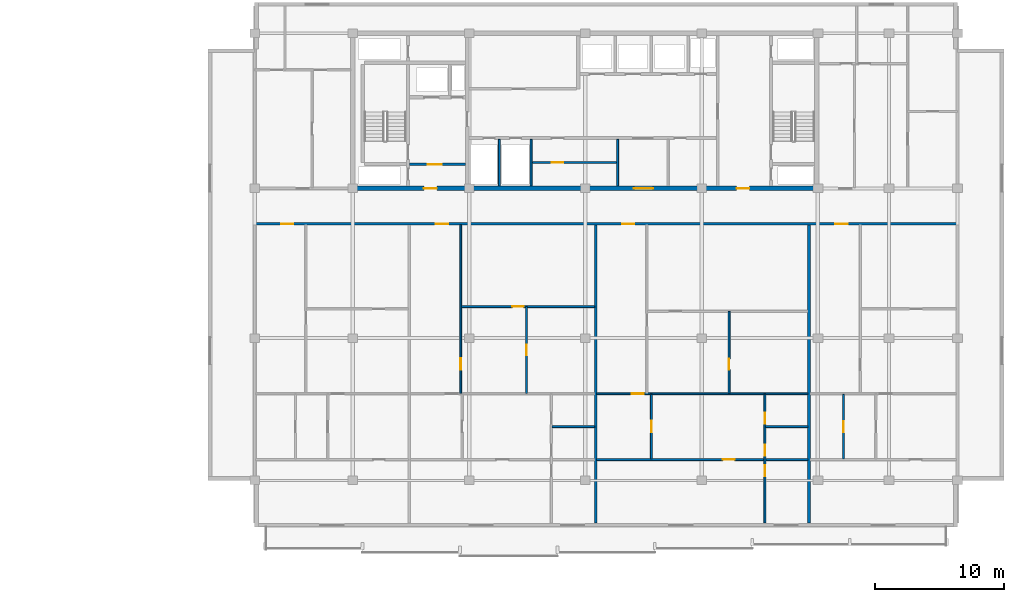
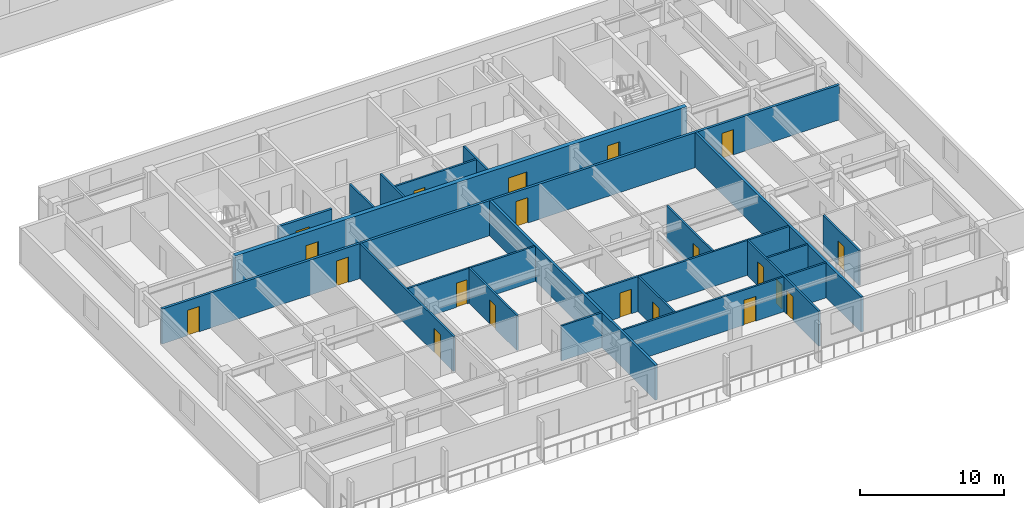
# One storey, part 5 of 22: 20 doors, 20 walls, 20 openings.
"""IFC4 building model written with IfcOpenShell, lengths in metres."""

from ifc_helpers import new_model, si_unit, direction, frame, frame_2d, origin, place, context, subcontext, project, spatial, rectangle, extrude, material, layer, layer_set, type_object, element, fill, save


model = new_model("IFC4")

# Units and contexts
model_context = context("Model", 3, precision=1e-05, world=origin(), true_north=direction((0.0, 1.0)))
body_context = subcontext(model_context, "Body", "Model", "MODEL_VIEW")
ifc_project = project(units=[si_unit("LENGTHUNIT", "METRE"), si_unit("AREAUNIT", "SQUARE_METRE"), si_unit("VOLUMEUNIT", "CUBIC_METRE"), si_unit("PLANEANGLEUNIT", "RADIAN"), si_unit("MASSUNIT", "GRAM", prefix="KILO")], contexts=[model_context])

# Site, building, storey
site_placement = place(None, origin())
site = spatial("IfcSite", under=ifc_project, at=site_placement, CompositionType="ELEMENT")
building_placement = place(site_placement, origin())
building = spatial("IfcBuilding", under=site, at=building_placement, Name="Korimba Cascade Residences", CompositionType="ELEMENT")
storey_placement = place(building_placement, frame((0.0, 0.0, 181.60009765625)))
storey = spatial("IfcBuildingStorey", under=building, at=storey_placement, Name="L52", CompositionType="ELEMENT", Elevation=181.60009765625)

# Wall, openings, doors
ifc_material_1 = material(Name="Concrete C65/80", Category="concrete")
ifc_layer_1 = layer(ifc_material_1, 0.35009765625)
ifc_layer_set_1 = layer_set([ifc_layer_1], Name="Concrete C65/80")
wall_type_1 = type_object("IfcWallType", Name="WAL-CORE-350", PredefinedType="SHEAR", material=ifc_layer_set_1)
wall_1_placement = place(storey_placement, frame((81.925048828125, 18.39990234375, 0.0), z_axis=(0.0, 0.0, 1.0), x_axis=(1.0, 0.0, 0.0)))
wall_1 = element("IfcWall", 1, at=wall_1_placement, inside=storey, type_object=wall_type_1, Name="L52 Core Shear Wall CW-L52-T2-S", PredefinedType="SHEAR", context=body_context, shape_type="SweptSolid", body=[
    extrude(rectangle(XDim=36.264892578125, YDim=0.35009765625, at=frame_2d((18.13232421875, 0.0))), origin(), (0.0, 0.0, 1.0), 3.25),
])
opening_1_placement = place(wall_1_placement, frame((5.675048828125, 0.0, 0.0)))
opening_1 = element("IfcOpeningElement", 2, at=opening_1_placement, cuts=wall_1, Name="Opening D-FD5", PredefinedType="OPENING", context=body_context, shape_type="SweptSolid", body=[
    extrude(rectangle(XDim=1.0, YDim=2.14990234375, at=frame_2d((0.5, 1.074951171875))), frame((0.0, 0.18505859375, 0.0), z_axis=(0.0, -1.0, 0.0), x_axis=(1.0, 0.0, 0.0)), (0.0, 0.0, 1.0), 0.3701171875),
])
opening_2_placement = place(wall_1_placement, frame((21.925048828125, 0.0, 0.0)))
opening_2 = element("IfcOpeningElement", 3, at=opening_2_placement, cuts=wall_1, Name="Opening D-FD8", PredefinedType="OPENING", context=body_context, shape_type="SweptSolid", body=[
    extrude(rectangle(XDim=1.5, YDim=2.199951171875, at=frame_2d((0.75, 1.10009765625))), frame((0.0, 0.18505859375, 0.0), z_axis=(0.0, -1.0, 0.0), x_axis=(1.0, 0.0, 0.0)), (0.0, 0.0, 1.0), 0.3701171875),
])
opening_3_placement = place(wall_1_placement, frame((29.875, 0.0, 0.0)))
opening_3 = element("IfcOpeningElement", 4, at=opening_3_placement, cuts=wall_1, Name="Opening D-FD5", PredefinedType="OPENING", context=body_context, shape_type="SweptSolid", body=[
    extrude(rectangle(XDim=1.0, YDim=2.14990234375, at=frame_2d((0.5, 1.074951171875))), frame((0.0, 0.18505859375, 0.0), z_axis=(0.0, -1.0, 0.0), x_axis=(1.0, 0.0, 0.0)), (0.0, 0.0, 1.0), 0.3701171875),
])
ifc_material_2 = material(Name="Fire-Rated Acoustic Timber Vestibule Door", Category="wood")
door_type_1 = type_object("IfcDoorType", Name="DR-FD90-1000", OperationType="NOTDEFINED", PredefinedType="DOOR", material=ifc_material_2)
door_1_placement = place(opening_1_placement, origin())
door_1 = element("IfcDoor", 5, at=door_1_placement, inside=storey, type_object=door_type_1, Name="L52 T2 West Core Vestibule Fire Door", OperationType="SINGLE_SWING_RIGHT", OverallHeight=2.14990234375, OverallWidth=1.0, PredefinedType="DOOR", context=body_context, shape_type="SweptSolid", body=[
    extrude(rectangle(XDim=1.0, YDim=2.14990234375, at=frame_2d((0.5, 1.074951171875))), frame((0.0, 0.02490234375, 0.0), z_axis=(0.0, -1.0, 0.0), x_axis=(1.0, 0.0, 0.0)), (0.0, 0.0, 1.0), 0.050048828125),
])
fill(opening_1, door_1)
door_2_placement = place(opening_3_placement, origin())
door_2 = element("IfcDoor", 6, at=door_2_placement, inside=storey, type_object=door_type_1, Name="L52 T2 East Stair Vestibule Fire Door", OperationType="SINGLE_SWING_LEFT", OverallHeight=2.14990234375, OverallWidth=1.0, PredefinedType="DOOR", context=body_context, shape_type="SweptSolid", body=[
    extrude(rectangle(XDim=1.0, YDim=2.14990234375, at=frame_2d((0.5, 1.074951171875))), frame((0.0, 0.02490234375, 0.0), z_axis=(0.0, -1.0, 0.0), x_axis=(1.0, 0.0, 0.0)), (0.0, 0.0, 1.0), 0.050048828125),
])
fill(opening_3, door_2)
ifc_material_3 = material(Name="Fire-Rated Glazed Lift Lobby Double Door", Category="glass")
door_type_2 = type_object("IfcDoorType", Name="DR-FD90-1500", OperationType="NOTDEFINED", PredefinedType="DOOR", material=ifc_material_3)
door_3_placement = place(opening_2_placement, origin())
door_3 = element("IfcDoor", 7, at=door_3_placement, inside=storey, type_object=door_type_2, Name="L52 T2 Lift Lobby Fire Door", OperationType="DOUBLE_DOOR_SINGLE_SWING", OverallHeight=2.199951171875, OverallWidth=1.5, PredefinedType="DOOR", context=body_context, shape_type="SweptSolid", body=[
    extrude(rectangle(XDim=1.5, YDim=2.199951171875, at=frame_2d((0.75, 1.10009765625))), frame((0.0, 0.02490234375, 0.0), z_axis=(0.0, -1.0, 0.0), x_axis=(1.0, 0.0, 0.0)), (0.0, 0.0, 1.0), 0.050048828125),
])
fill(opening_2, door_3)

# Walls
ifc_material_4 = material(Name="Precast concrete C40/50", Category="concrete")
ifc_layer_2 = layer(ifc_material_4, 0.199951171875)
ifc_layer_set_2 = layer_set([ifc_layer_2], Name="Precast concrete C40/50")
wall_type_2 = type_object("IfcWallType", Name="WAL-IT-200", PredefinedType="PARTITIONING", material=ifc_layer_set_2)
for number, where, z_axis, x_axis, name in (
    (8, (100.8916015625, -7.5, 0.0), (0.0, 0.0, 1.0), (0.0, 1.0, 0.0), "L52 Partition Wall WAL-L52-T2-DEM-2"),
    (9, (117.408203125, -7.5, 0.0), (0.0, 0.0, 1.0), (0.0, 1.0, 0.0), "L52 Partition Wall WAL-L52-T2-DEM-3"),
):
    element("IfcWall", number, at=place(storey_placement, frame(where, z_axis=z_axis, x_axis=x_axis)), inside=storey, type_object=wall_type_2, Name=name, PredefinedType="PARTITIONING", context=body_context, shape_type="SweptSolid", body=[
        extrude(rectangle(XDim=23.070068359375, YDim=0.199951171875, at=frame_2d((11.53515625, 0.0))), origin(), (0.0, 0.0, 1.0), 2.969970703125),
    ])

# Wall, openings, doors
wall_2_placement = place(storey_placement, frame((74.5, 15.64990234375, 0.0), z_axis=(0.0, 0.0, 1.0), x_axis=(1.0, 0.0, 0.0)))
wall_2 = element("IfcWall", 10, at=wall_2_placement, inside=storey, type_object=wall_type_2, Name="L52 Partition Wall WAL-L52-T2-CORS", PredefinedType="PARTITIONING", context=body_context, shape_type="SweptSolid", body=[
    extrude(rectangle(XDim=54.39990234375, YDim=0.199951171875, at=frame_2d((27.199951171875, 0.0))), origin(), (0.0, 0.0, 1.0), 2.969970703125),
])
opening_4_placement = place(wall_2_placement, frame((2.044921875, 0.0, 0.0)))
opening_4 = element("IfcOpeningElement", 11, at=opening_4_placement, cuts=wall_2, Name="Opening D-UN1", PredefinedType="OPENING", context=body_context, shape_type="SweptSolid", body=[
    extrude(rectangle(XDim=0.949951171875, YDim=2.14990234375, at=frame_2d((0.47509765625, 1.074951171875))), frame((0.0, 0.10986328125, 0.0), z_axis=(0.0, -1.0, 0.0), x_axis=(1.0, 0.0, 0.0)), (0.0, 0.0, 1.0), 0.219970703125),
])
opening_5_placement = place(wall_2_placement, frame((14.0283203125, 0.0, 0.0)))
opening_5 = element("IfcOpeningElement", 12, at=opening_5_placement, cuts=wall_2, Name="Opening D-UN1", PredefinedType="OPENING", context=body_context, shape_type="SweptSolid", body=[
    extrude(rectangle(XDim=0.949951171875, YDim=2.14990234375, at=frame_2d((0.47509765625, 1.074951171875))), frame((0.0, 0.10986328125, 0.0), z_axis=(0.0, -1.0, 0.0), x_axis=(1.0, 0.0, 0.0)), (0.0, 0.0, 1.0), 0.219970703125),
])
opening_6_placement = place(wall_2_placement, frame((28.4365234375, 0.0, 0.0)))
opening_6 = element("IfcOpeningElement", 13, at=opening_6_placement, cuts=wall_2, Name="Opening D-UN1", PredefinedType="OPENING", context=body_context, shape_type="SweptSolid", body=[
    extrude(rectangle(XDim=0.949951171875, YDim=2.14990234375, at=frame_2d((0.47509765625, 1.074951171875))), frame((0.0, 0.10986328125, 0.0), z_axis=(0.0, -1.0, 0.0), x_axis=(1.0, 0.0, 0.0)), (0.0, 0.0, 1.0), 0.219970703125),
])
opening_7_placement = place(wall_2_placement, frame((44.953369140625, 0.0, 0.0)))
opening_7 = element("IfcOpeningElement", 14, at=opening_7_placement, cuts=wall_2, Name="Opening D-UN1", PredefinedType="OPENING", context=body_context, shape_type="SweptSolid", body=[
    extrude(rectangle(XDim=0.949951171875, YDim=2.14990234375, at=frame_2d((0.47509765625, 1.074951171875))), frame((0.0, 0.10986328125, 0.0), z_axis=(0.0, -1.0, 0.0), x_axis=(1.0, 0.0, 0.0)), (0.0, 0.0, 1.0), 0.219970703125),
])
ifc_material_5 = material(Name="Fire-Rated Hardwood Apartment Entrance Door", Category="wood")
door_type_3 = type_object("IfcDoorType", Name="DR-FD60-950", OperationType="NOTDEFINED", PredefinedType="DOOR", material=ifc_material_5)
door_4_placement = place(opening_4_placement, origin())
door_4 = element("IfcDoor", 15, at=door_4_placement, inside=storey, type_object=door_type_3, Name="Unit L52-T2-U01 Entrance Door", OperationType="SINGLE_SWING_LEFT", OverallHeight=2.14990234375, OverallWidth=0.949951171875, PredefinedType="DOOR", context=body_context, shape_type="SweptSolid", body=[
    extrude(rectangle(XDim=0.949951171875, YDim=2.14990234375, at=frame_2d((0.47509765625, 1.074951171875))), frame((0.0, 0.02490234375, 0.0), z_axis=(0.0, -1.0, 0.0), x_axis=(1.0, 0.0, 0.0)), (0.0, 0.0, 1.0), 0.050048828125),
])
fill(opening_4, door_4)
door_5_placement = place(opening_5_placement, origin())
door_5 = element("IfcDoor", 16, at=door_5_placement, inside=storey, type_object=door_type_3, Name="Unit L52-T2-U02 Entrance Door", OperationType="SINGLE_SWING_RIGHT", OverallHeight=2.14990234375, OverallWidth=0.949951171875, PredefinedType="DOOR", context=body_context, shape_type="SweptSolid", body=[
    extrude(rectangle(XDim=0.949951171875, YDim=2.14990234375, at=frame_2d((0.47509765625, 1.074951171875))), frame((0.0, 0.02490234375, 0.0), z_axis=(0.0, -1.0, 0.0), x_axis=(1.0, 0.0, 0.0)), (0.0, 0.0, 1.0), 0.050048828125),
])
fill(opening_5, door_5)
door_6_placement = place(opening_6_placement, origin())
door_6 = element("IfcDoor", 17, at=door_6_placement, inside=storey, type_object=door_type_3, Name="Unit L52-T2-U03 Entrance Door", OperationType="SINGLE_SWING_LEFT", OverallHeight=2.14990234375, OverallWidth=0.949951171875, PredefinedType="DOOR", context=body_context, shape_type="SweptSolid", body=[
    extrude(rectangle(XDim=0.949951171875, YDim=2.14990234375, at=frame_2d((0.47509765625, 1.074951171875))), frame((0.0, 0.02490234375, 0.0), z_axis=(0.0, -1.0, 0.0), x_axis=(1.0, 0.0, 0.0)), (0.0, 0.0, 1.0), 0.050048828125),
])
fill(opening_6, door_6)
door_7_placement = place(opening_7_placement, origin())
door_7 = element("IfcDoor", 18, at=door_7_placement, inside=storey, type_object=door_type_3, Name="Unit L52-T2-U04 Entrance Door", OperationType="SINGLE_SWING_RIGHT", OverallHeight=2.14990234375, OverallWidth=0.949951171875, PredefinedType="DOOR", context=body_context, shape_type="SweptSolid", body=[
    extrude(rectangle(XDim=0.949951171875, YDim=2.14990234375, at=frame_2d((0.47509765625, 1.074951171875))), frame((0.0, 0.02490234375, 0.0), z_axis=(0.0, -1.0, 0.0), x_axis=(1.0, 0.0, 0.0)), (0.0, 0.0, 1.0), 0.050048828125),
])
fill(opening_7, door_7)

# Walls
ifc_material_6 = material(Name="Insulated Acoustic Stud Partition", Category="gypsum")
ifc_layer_3 = layer(ifc_material_6, 0.14990234375)
ifc_layer_set_3 = layer_set([ifc_layer_3], Name="Insulated Acoustic Stud Partition")
wall_type_3 = type_object("IfcWallType", Name="WAL-PART-150", PredefinedType="PARTITIONING", material=ifc_layer_set_3)
for number, where, z_axis, x_axis, name in (
    (19, (93.449951171875, 18.60009765625, 0.0), (0.0, 0.0, 1.0), (0.0, 1.0, 0.0), "L52 Partition Wall CW-L52-T2-ERDIV"),
    (20, (95.89990234375, 18.60009765625, 0.0), (0.0, 0.0, 1.0), (0.0, 1.0, 0.0), "L52 Partition Wall CW-L52-T2-PRDIV"),
):
    element("IfcWall", number, at=place(storey_placement, frame(where, z_axis=z_axis, x_axis=x_axis)), inside=storey, type_object=wall_type_3, Name=name, PredefinedType="PARTITIONING", context=body_context, shape_type="SweptSolid", body=[
        extrude(rectangle(XDim=3.599853515625, YDim=0.14990234375, at=frame_2d((1.7998046875, 0.0))), origin(), (0.0, 0.0, 1.0), 2.969970703125),
    ])

# Wall, opening, door
wall_3_placement = place(storey_placement, frame((95.89990234375, 20.39990234375, 0.0), z_axis=(0.0, 0.0, 1.0), x_axis=(1.0, 0.0, 0.0)))
wall_3 = element("IfcWall", 21, at=wall_3_placement, inside=storey, type_object=wall_type_3, Name="L52 Partition Wall CW-L52-T2-CA2HZ", PredefinedType="PARTITIONING", context=body_context, shape_type="SweptSolid", body=[
    extrude(rectangle(XDim=6.7001953125, YDim=0.14990234375, at=frame_2d((3.35009765625, 0.0))), origin(), (0.0, 0.0, 1.0), 2.969970703125),
])
opening_8_placement = place(wall_3_placement, frame((1.60009765625, 0.0, 0.0)))
opening_8 = element("IfcOpeningElement", 22, at=opening_8_placement, cuts=wall_3, Name="Opening D-IN2", PredefinedType="OPENING", context=body_context, shape_type="SweptSolid", body=[
    extrude(rectangle(XDim=0.8798828125, YDim=2.06005859375, at=frame_2d((0.43994140625, 1.030029296875))), frame((0.0, 0.0849609375, 0.0), z_axis=(0.0, -1.0, 0.0), x_axis=(1.0, 0.0, 0.0)), (0.0, 0.0, 1.0), 0.169921875),
])
ifc_material_7 = material(Name="Acoustic Timber Bedroom Door", Category="wood")
door_type_4 = type_object("IfcDoorType", Name="DR-INT-880", OperationType="NOTDEFINED", PredefinedType="DOOR", material=ifc_material_7)
door_8_placement = place(opening_8_placement, origin())
door_8 = element("IfcDoor", 23, at=door_8_placement, inside=storey, type_object=door_type_4, Name="L52 T2 Pram Store Door", OperationType="SINGLE_SWING_RIGHT", OverallHeight=2.06005859375, OverallWidth=0.8798828125, PredefinedType="DOOR", context=body_context, shape_type="SweptSolid", body=[
    extrude(rectangle(XDim=0.8798828125, YDim=2.06005859375, at=frame_2d((0.43994140625, 1.030029296875))), frame((0.0, 0.02490234375, 0.0), z_axis=(0.0, -1.0, 0.0), x_axis=(1.0, 0.0, 0.0)), (0.0, 0.0, 1.0), 0.050048828125),
])
fill(opening_8, door_8)

# Wall
wall_4_placement = place(storey_placement, frame((102.60009765625, 18.60009765625, 0.0), z_axis=(0.0, 0.0, 1.0), x_axis=(0.0, 1.0, 0.0)))
element("IfcWall", 24, at=wall_4_placement, inside=storey, type_object=wall_type_3, Name="L52 Partition Wall CW-L52-T2-THW", PredefinedType="PARTITIONING", context=body_context, shape_type="SweptSolid", body=[
    extrude(rectangle(XDim=3.599853515625, YDim=0.14990234375, at=frame_2d((1.7998046875, 0.0))), origin(), (0.0, 0.0, 1.0), 2.969970703125),
])

# Wall, opening, door
wall_5_placement = place(storey_placement, frame((95.54248046875, 2.5400390625, 0.0), z_axis=(0.0, 0.0, 1.0), x_axis=(0.0, 1.0, 0.0)))
wall_5 = element("IfcWall", 25, at=wall_5_placement, inside=storey, type_object=wall_type_3, Name="L52 Partition Wall WAL-L52-T2-U02-FMV", PredefinedType="PARTITIONING", context=body_context, shape_type="SweptSolid", body=[
    extrude(rectangle(XDim=6.705078125, YDim=0.14990234375, at=frame_2d((3.3525390625, 0.0))), origin(), (0.0, 0.0, 1.0), 2.969970703125),
])
opening_9_placement = place(wall_5_placement, frame((2.9326171875, 0.0, 0.0)))
opening_9 = element("IfcOpeningElement", 26, at=opening_9_placement, cuts=wall_5, Name="Opening D-BT1", PredefinedType="OPENING", context=body_context, shape_type="SweptSolid", body=[
    extrude(rectangle(XDim=0.840087890625, YDim=2.0400390625, at=frame_2d((0.419921875, 1.02001953125))), frame((0.0, 0.0849609375, 0.0), z_axis=(0.0, -1.0, 0.0), x_axis=(1.0, 0.0, 0.0)), (0.0, 0.0, 1.0), 0.169921875),
])
ifc_material_8 = material(Name="Moisture-Resistant Bathroom Timber Door", Category="wood")
door_type_5 = type_object("IfcDoorType", Name="DR-INT-850", OperationType="NOTDEFINED", PredefinedType="DOOR", material=ifc_material_8)
door_9_placement = place(opening_9_placement, origin())
door_9 = element("IfcDoor", 27, at=door_9_placement, inside=storey, type_object=door_type_5, Name="L52-T2-U02 Wardrobe Door", OperationType="SINGLE_SWING_LEFT", OverallHeight=2.0400390625, OverallWidth=0.840087890625, PredefinedType="DOOR", context=body_context, shape_type="SweptSolid", body=[
    extrude(rectangle(XDim=0.840087890625, YDim=2.0400390625, at=frame_2d((0.419921875, 1.02001953125))), frame((0.0, 0.02490234375, 0.0), z_axis=(0.0, -1.0, 0.0), x_axis=(1.0, 0.0, 0.0)), (0.0, 0.0, 1.0), 0.050048828125),
])
fill(opening_9, door_9)

wall_6_placement = place(storey_placement, frame((90.51318359375, 9.2451171875, 0.0), z_axis=(0.0, 0.0, 1.0), x_axis=(1.0, 0.0, 0.0)))
wall_6 = element("IfcWall", 28, at=wall_6_placement, inside=storey, type_object=wall_type_3, Name="L52 Partition Wall WAL-L52-T2-U02-FMH", PredefinedType="PARTITIONING", context=body_context, shape_type="SweptSolid", body=[
    extrude(rectangle(XDim=10.29833984375, YDim=0.14990234375, at=frame_2d((5.149169921875, 0.0))), origin(), (0.0, 0.0, 1.0), 2.969970703125),
])
opening_10_placement = place(wall_6_placement, frame((3.92919921875, 0.0, 0.0)))
opening_10 = element("IfcOpeningElement", 29, at=opening_10_placement, cuts=wall_6, Name="Opening D-IN2", PredefinedType="OPENING", context=body_context, shape_type="SweptSolid", body=[
    extrude(rectangle(XDim=0.8798828125, YDim=2.06005859375, at=frame_2d((0.43994140625, 1.030029296875))), frame((0.0, 0.0849609375, 0.0), z_axis=(0.0, -1.0, 0.0), x_axis=(1.0, 0.0, 0.0)), (0.0, 0.0, 1.0), 0.169921875),
])
door_10_placement = place(opening_10_placement, origin())
door_10 = element("IfcDoor", 30, at=door_10_placement, inside=storey, type_object=door_type_4, Name="L52-T2-U02 Library Salon Door", OperationType="SINGLE_SWING_RIGHT", OverallHeight=2.06005859375, OverallWidth=0.8798828125, PredefinedType="DOOR", context=body_context, shape_type="SweptSolid", body=[
    extrude(rectangle(XDim=0.8798828125, YDim=2.06005859375, at=frame_2d((0.43994140625, 1.030029296875))), frame((0.0, 0.02490234375, 0.0), z_axis=(0.0, -1.0, 0.0), x_axis=(1.0, 0.0, 0.0)), (0.0, 0.0, 1.0), 0.050048828125),
])
fill(opening_10, door_10)

wall_7_placement = place(storey_placement, frame((90.453369140625, 2.5400390625, 0.0), z_axis=(0.0, 0.0, 1.0), x_axis=(0.0, 1.0, 0.0)))
wall_7 = element("IfcWall", 31, at=wall_7_placement, inside=storey, type_object=wall_type_3, Name="L52 Partition Wall WAL-L52-T2-U02-FV", PredefinedType="PARTITIONING", context=body_context, shape_type="SweptSolid", body=[
    extrude(rectangle(XDim=13.050048828125, YDim=0.14990234375, at=frame_2d((6.52490234375, 0.0))), origin(), (0.0, 0.0, 1.0), 2.969970703125),
])
opening_11_placement = place(wall_7_placement, frame((1.81298828125, 0.0, 0.0)))
opening_11 = element("IfcOpeningElement", 32, at=opening_11_placement, cuts=wall_7, Name="Opening D-IN2", PredefinedType="OPENING", context=body_context, shape_type="SweptSolid", body=[
    extrude(rectangle(XDim=0.8798828125, YDim=2.06005859375, at=frame_2d((0.43994140625, 1.030029296875))), frame((0.0, 0.0849609375, 0.0), z_axis=(0.0, -1.0, 0.0), x_axis=(1.0, 0.0, 0.0)), (0.0, 0.0, 1.0), 0.169921875),
])
door_11_placement = place(opening_11_placement, origin())
door_11 = element("IfcDoor", 33, at=door_11_placement, inside=storey, type_object=door_type_4, Name="L52-T2-U02 Media Lounge Door", OperationType="SINGLE_SWING_LEFT", OverallHeight=2.06005859375, OverallWidth=0.8798828125, PredefinedType="DOOR", context=body_context, shape_type="SweptSolid", body=[
    extrude(rectangle(XDim=0.8798828125, YDim=2.06005859375, at=frame_2d((0.43994140625, 1.030029296875))), frame((0.0, 0.02490234375, 0.0), z_axis=(0.0, -1.0, 0.0), x_axis=(1.0, 0.0, 0.0)), (0.0, 0.0, 1.0), 0.050048828125),
])
fill(opening_11, door_11)

# Wall
wall_8_placement = place(storey_placement, frame((97.531494140625, -0.0400390625, 0.0), z_axis=(0.0, 0.0, 1.0), x_axis=(1.0, 0.0, 0.0)))
element("IfcWall", 34, at=wall_8_placement, inside=storey, type_object=wall_type_3, Name="L52 Partition Wall WAL-L52-T2-U02-BLDIV", PredefinedType="PARTITIONING", context=body_context, shape_type="SweptSolid", body=[
    extrude(rectangle(XDim=3.280029296875, YDim=0.14990234375, at=frame_2d((1.64013671875, 0.0))), origin(), (0.0, 0.0, 1.0), 2.969970703125),
])

# Wall, opening, door
wall_9_placement = place(storey_placement, frame((111.224853515625, 2.5400390625, 0.0), z_axis=(0.0, 0.0, 1.0), x_axis=(0.0, 1.0, 0.0)))
wall_9 = element("IfcWall", 35, at=wall_9_placement, inside=storey, type_object=wall_type_3, Name="L52 Partition Wall WAL-L52-T2-U03-FMV", PredefinedType="PARTITIONING", context=body_context, shape_type="SweptSolid", body=[
    extrude(rectangle(XDim=6.344970703125, YDim=0.14990234375, at=frame_2d((3.17236328125, 0.0))), origin(), (0.0, 0.0, 1.0), 2.969970703125),
])
opening_12_placement = place(wall_9_placement, frame((1.821533203125, 0.0, 0.0)))
opening_12 = element("IfcOpeningElement", 36, at=opening_12_placement, cuts=wall_9, Name="Opening D-BT1", PredefinedType="OPENING", context=body_context, shape_type="SweptSolid", body=[
    extrude(rectangle(XDim=0.840087890625, YDim=2.0400390625, at=frame_2d((0.419921875, 1.02001953125))), frame((0.0, 0.0849609375, 0.0), z_axis=(0.0, -1.0, 0.0), x_axis=(1.0, 0.0, 0.0)), (0.0, 0.0, 1.0), 0.169921875),
])
door_12_placement = place(opening_12_placement, origin())
door_12 = element("IfcDoor", 37, at=door_12_placement, inside=storey, type_object=door_type_5, Name="L52-T2-U03 Wardrobe Door", OperationType="SINGLE_SWING_RIGHT", OverallHeight=2.0400390625, OverallWidth=0.840087890625, PredefinedType="DOOR", context=body_context, shape_type="SweptSolid", body=[
    extrude(rectangle(XDim=0.840087890625, YDim=2.0400390625, at=frame_2d((0.419921875, 1.02001953125))), frame((0.0, 0.02490234375, 0.0), z_axis=(0.0, -1.0, 0.0), x_axis=(1.0, 0.0, 0.0)), (0.0, 0.0, 1.0), 0.050048828125),
])
fill(opening_12, door_12)

wall_10_placement = place(storey_placement, frame((105.211669921875, -2.5400390625, 0.0), z_axis=(0.0, 0.0, 1.0), x_axis=(0.0, 1.0, 0.0)))
wall_10 = element("IfcWall", 38, at=wall_10_placement, inside=storey, type_object=wall_type_3, Name="L52 Partition Wall WAL-L52-T2-U03-VDIN", PredefinedType="PARTITIONING", context=body_context, shape_type="SweptSolid", body=[
    extrude(rectangle(XDim=5.0, YDim=0.14990234375, at=frame_2d((2.5, 0.0))), origin(), (0.0, 0.0, 1.0), 2.969970703125),
])
opening_13_placement = place(wall_10_placement, frame((2.06005859375, 0.0, 0.0)))
opening_13 = element("IfcOpeningElement", 39, at=opening_13_placement, cuts=wall_10, Name="Opening D-IN2", PredefinedType="OPENING", context=body_context, shape_type="SweptSolid", body=[
    extrude(rectangle(XDim=0.8798828125, YDim=2.06005859375, at=frame_2d((0.43994140625, 1.030029296875))), frame((0.0, 0.0849609375, 0.0), z_axis=(0.0, -1.0, 0.0), x_axis=(1.0, 0.0, 0.0)), (0.0, 0.0, 1.0), 0.169921875),
])
door_13_placement = place(opening_13_placement, origin())
door_13 = element("IfcDoor", 40, at=door_13_placement, inside=storey, type_object=door_type_4, Name="L52-T2-U03 Dining Room Door", OperationType="SINGLE_SWING_LEFT", OverallHeight=2.06005859375, OverallWidth=0.8798828125, PredefinedType="DOOR", context=body_context, shape_type="SweptSolid", body=[
    extrude(rectangle(XDim=0.8798828125, YDim=2.06005859375, at=frame_2d((0.43994140625, 1.030029296875))), frame((0.0, 0.02490234375, 0.0), z_axis=(0.0, -1.0, 0.0), x_axis=(1.0, 0.0, 0.0)), (0.0, 0.0, 1.0), 0.050048828125),
])
fill(opening_13, door_13)

# Wall
wall_11_placement = place(storey_placement, frame((114.04833984375, -0.0400390625, 0.0), z_axis=(0.0, 0.0, 1.0), x_axis=(1.0, 0.0, 0.0)))
element("IfcWall", 41, at=wall_11_placement, inside=storey, type_object=wall_type_3, Name="L52 Partition Wall WAL-L52-T2-U03-BLDIV", PredefinedType="PARTITIONING", context=body_context, shape_type="SweptSolid", body=[
    extrude(rectangle(XDim=3.280029296875, YDim=0.14990234375, at=frame_2d((1.64013671875, 0.0))), origin(), (0.0, 0.0, 1.0), 2.969970703125),
])

# Wall, openings, doors
wall_12_placement = place(storey_placement, frame((113.98828125, -7.5, 0.0), z_axis=(0.0, 0.0, 1.0), x_axis=(0.0, 1.0, 0.0)))
wall_12 = element("IfcWall", 42, at=wall_12_placement, inside=storey, type_object=wall_type_3, Name="L52 Partition Wall WAL-L52-T2-U03-V1", PredefinedType="PARTITIONING", context=body_context, shape_type="SweptSolid", body=[
    extrude(rectangle(XDim=9.9599609375, YDim=0.14990234375, at=frame_2d((4.97998046875, 0.0))), origin(), (0.0, 0.0, 1.0), 2.969970703125),
])
opening_14_placement = place(wall_12_placement, frame((5.199951171875, 0.0, 0.0)))
opening_14 = element("IfcOpeningElement", 43, at=opening_14_placement, cuts=wall_12, Name="Opening D-BT1", PredefinedType="OPENING", context=body_context, shape_type="SweptSolid", body=[
    extrude(rectangle(XDim=0.840087890625, YDim=2.0400390625, at=frame_2d((0.419921875, 1.02001953125))), frame((0.0, 0.0849609375, 0.0), z_axis=(0.0, -1.0, 0.0), x_axis=(1.0, 0.0, 0.0)), (0.0, 0.0, 1.0), 0.169921875),
])
opening_15_placement = place(wall_12_placement, frame((7.689697265625, 0.0, 0.0)))
opening_15 = element("IfcOpeningElement", 44, at=opening_15_placement, cuts=wall_12, Name="Opening D-BT1", PredefinedType="OPENING", context=body_context, shape_type="SweptSolid", body=[
    extrude(rectangle(XDim=0.840087890625, YDim=2.0400390625, at=frame_2d((0.419921875, 1.02001953125))), frame((0.0, 0.0849609375, 0.0), z_axis=(0.0, -1.0, 0.0), x_axis=(1.0, 0.0, 0.0)), (0.0, 0.0, 1.0), 0.169921875),
])
opening_16_placement = place(wall_12_placement, frame((3.60009765625, 0.0, 0.0)))
opening_16 = element("IfcOpeningElement", 45, at=opening_16_placement, cuts=wall_12, Name="Opening D-IN2", PredefinedType="OPENING", context=body_context, shape_type="SweptSolid", body=[
    extrude(rectangle(XDim=0.8798828125, YDim=2.06005859375, at=frame_2d((0.43994140625, 1.030029296875))), frame((0.0, 0.0849609375, 0.0), z_axis=(0.0, -1.0, 0.0), x_axis=(1.0, 0.0, 0.0)), (0.0, 0.0, 1.0), 0.169921875),
])
door_14_placement = place(opening_14_placement, origin())
door_14 = element("IfcDoor", 46, at=door_14_placement, inside=storey, type_object=door_type_5, Name="L52-T2-U03 Bathroom Door", OperationType="SINGLE_SWING_RIGHT", OverallHeight=2.0400390625, OverallWidth=0.840087890625, PredefinedType="DOOR", context=body_context, shape_type="SweptSolid", body=[
    extrude(rectangle(XDim=0.840087890625, YDim=2.0400390625, at=frame_2d((0.419921875, 1.02001953125))), frame((0.0, 0.02490234375, 0.0), z_axis=(0.0, -1.0, 0.0), x_axis=(1.0, 0.0, 0.0)), (0.0, 0.0, 1.0), 0.050048828125),
])
fill(opening_14, door_14)
door_15_placement = place(opening_15_placement, origin())
door_15 = element("IfcDoor", 47, at=door_15_placement, inside=storey, type_object=door_type_5, Name="L52-T2-U03 Laundry Door", OperationType="SINGLE_SWING_LEFT", OverallHeight=2.0400390625, OverallWidth=0.840087890625, PredefinedType="DOOR", context=body_context, shape_type="SweptSolid", body=[
    extrude(rectangle(XDim=0.840087890625, YDim=2.0400390625, at=frame_2d((0.419921875, 1.02001953125))), frame((0.0, 0.02490234375, 0.0), z_axis=(0.0, -1.0, 0.0), x_axis=(1.0, 0.0, 0.0)), (0.0, 0.0, 1.0), 0.050048828125),
])
fill(opening_15, door_15)
door_16_placement = place(opening_16_placement, origin())
door_16 = element("IfcDoor", 48, at=door_16_placement, inside=storey, type_object=door_type_4, Name="L52-T2-U03 Bedroom 1 Door", OperationType="SINGLE_SWING_RIGHT", OverallHeight=2.06005859375, OverallWidth=0.8798828125, PredefinedType="DOOR", context=body_context, shape_type="SweptSolid", body=[
    extrude(rectangle(XDim=0.8798828125, YDim=2.06005859375, at=frame_2d((0.43994140625, 1.030029296875))), frame((0.0, 0.02490234375, 0.0), z_axis=(0.0, -1.0, 0.0), x_axis=(1.0, 0.0, 0.0)), (0.0, 0.0, 1.0), 0.050048828125),
])
fill(opening_16, door_16)

# Wall, opening, door
wall_13_placement = place(storey_placement, frame((100.9716796875, 2.5, 0.0), z_axis=(0.0, 0.0, 1.0), x_axis=(1.0, 0.0, 0.0)))
wall_13 = element("IfcWall", 49, at=wall_13_placement, inside=storey, type_object=wall_type_3, Name="L52 Partition Wall WAL-L52-T2-U03-MW", PredefinedType="PARTITIONING", context=body_context, shape_type="SweptSolid", body=[
    extrude(rectangle(XDim=16.356689453125, YDim=0.14990234375, at=frame_2d((8.17822265625, 0.0))), origin(), (0.0, 0.0, 1.0), 2.969970703125),
])
opening_17_placement = place(wall_13_placement, frame((2.719970703125, 0.0, 0.0)))
opening_17 = element("IfcOpeningElement", 50, at=opening_17_placement, cuts=wall_13, Name="Opening D-IN1", PredefinedType="OPENING", context=body_context, shape_type="SweptSolid", body=[
    extrude(rectangle(XDim=0.919921875, YDim=2.080078125, at=frame_2d((0.4599609375, 1.0400390625))), frame((0.0, 0.0849609375, 0.0), z_axis=(0.0, -1.0, 0.0), x_axis=(1.0, 0.0, 0.0)), (0.0, 0.0, 1.0), 0.169921875),
])
ifc_material_9 = material(Name="Acoustic Timber Living Door", Category="wood")
door_type_6 = type_object("IfcDoorType", Name="DR-INT-920", OperationType="NOTDEFINED", PredefinedType="DOOR", material=ifc_material_9)
door_17_placement = place(opening_17_placement, origin())
door_17 = element("IfcDoor", 51, at=door_17_placement, inside=storey, type_object=door_type_6, Name="L52-T2-U03 Kitchen Archway Door", OperationType="SINGLE_SWING_LEFT", OverallHeight=2.080078125, OverallWidth=0.919921875, PredefinedType="DOOR", context=body_context, shape_type="SweptSolid", body=[
    extrude(rectangle(XDim=0.919921875, YDim=2.080078125, at=frame_2d((0.4599609375, 1.0400390625))), frame((0.0, 0.02490234375, 0.0), z_axis=(0.0, -1.0, 0.0), x_axis=(1.0, 0.0, 0.0)), (0.0, 0.0, 1.0), 0.050048828125),
])
fill(opening_17, door_17)

wall_14_placement = place(storey_placement, frame((100.9716796875, -2.60009765625, 0.0), z_axis=(0.0, 0.0, 1.0), x_axis=(1.0, 0.0, 0.0)))
wall_14 = element("IfcWall", 52, at=wall_14_placement, inside=storey, type_object=wall_type_3, Name="L52 Partition Wall WAL-L52-T2-U03-HZ", PredefinedType="PARTITIONING", context=body_context, shape_type="SweptSolid", body=[
    extrude(rectangle(XDim=16.356689453125, YDim=0.14990234375, at=frame_2d((8.17822265625, 0.0))), origin(), (0.0, 0.0, 1.0), 2.969970703125),
])
opening_18_placement = place(wall_14_placement, frame((9.742919921875, 0.0, 0.0)))
opening_18 = element("IfcOpeningElement", 53, at=opening_18_placement, cuts=wall_14, Name="Opening D-IN0", PredefinedType="OPENING", context=body_context, shape_type="SweptSolid", body=[
    extrude(rectangle(XDim=0.93994140625, YDim=2.10009765625, at=frame_2d((0.469970703125, 1.050048828125))), frame((0.0, 0.0849609375, 0.0), z_axis=(0.0, -1.0, 0.0), x_axis=(1.0, 0.0, 0.0)), (0.0, 0.0, 1.0), 0.169921875),
])
ifc_material_10 = material(Name="Acoustic Timber Living Archway Door", Category="wood")
door_type_7 = type_object("IfcDoorType", Name="DR-INT-950", OperationType="NOTDEFINED", PredefinedType="DOOR", material=ifc_material_10)
door_18_placement = place(opening_18_placement, origin())
door_18 = element("IfcDoor", 54, at=door_18_placement, inside=storey, type_object=door_type_7, Name="L52-T2-U03 Living Archway Door", OperationType="SINGLE_SWING_RIGHT", OverallHeight=2.10009765625, OverallWidth=0.93994140625, PredefinedType="DOOR", context=body_context, shape_type="SweptSolid", body=[
    extrude(rectangle(XDim=0.93994140625, YDim=2.10009765625, at=frame_2d((0.469970703125, 1.050048828125))), frame((0.0, 0.02490234375, 0.0), z_axis=(0.0, -1.0, 0.0), x_axis=(1.0, 0.0, 0.0)), (0.0, 0.0, 1.0), 0.050048828125),
])
fill(opening_18, door_18)

wall_15_placement = place(storey_placement, frame((120.080078125, -2.5400390625, 0.0), z_axis=(0.0, 0.0, 1.0), x_axis=(0.0, 1.0, 0.0)))
wall_15 = element("IfcWall", 55, at=wall_15_placement, inside=storey, type_object=wall_type_3, Name="L52 Partition Wall WAL-L52-T2-U04-CLS", PredefinedType="PARTITIONING", context=body_context, shape_type="SweptSolid", body=[
    extrude(rectangle(XDim=5.0, YDim=0.14990234375, at=frame_2d((2.5, 0.0))), origin(), (0.0, 0.0, 1.0), 2.969970703125),
])
opening_19_placement = place(wall_15_placement, frame((2.080078125, 0.0, 0.0)))
opening_19 = element("IfcOpeningElement", 56, at=opening_19_placement, cuts=wall_15, Name="Opening D-BT1", PredefinedType="OPENING", context=body_context, shape_type="SweptSolid", body=[
    extrude(rectangle(XDim=0.840087890625, YDim=2.0400390625, at=frame_2d((0.419921875, 1.02001953125))), frame((0.0, 0.0849609375, 0.0), z_axis=(0.0, -1.0, 0.0), x_axis=(1.0, 0.0, 0.0)), (0.0, 0.0, 1.0), 0.169921875),
])
door_19_placement = place(opening_19_placement, origin())
door_19 = element("IfcDoor", 57, at=door_19_placement, inside=storey, type_object=door_type_5, Name="L52-T2-U04 Closet Door", OperationType="SINGLE_SWING_LEFT", OverallHeight=2.0400390625, OverallWidth=0.840087890625, PredefinedType="DOOR", context=body_context, shape_type="SweptSolid", body=[
    extrude(rectangle(XDim=0.840087890625, YDim=2.0400390625, at=frame_2d((0.419921875, 1.02001953125))), frame((0.0, 0.02490234375, 0.0), z_axis=(0.0, -1.0, 0.0), x_axis=(1.0, 0.0, 0.0)), (0.0, 0.0, 1.0), 0.050048828125),
])
fill(opening_19, door_19)

ifc_material_11 = material(Name="Concrete C40/50", Category="concrete")
ifc_layer_4 = layer(ifc_material_11, 0.199951171875)
ifc_layer_set_4 = layer_set([ifc_layer_4], Name="Concrete C40/50")
wall_type_4 = type_object("IfcWallType", Name="WAL-PART-200", PredefinedType="PARTITIONING", material=ifc_layer_set_4)
wall_16_placement = place(storey_placement, frame((86.5, 20.25, 0.0), z_axis=(0.0, 0.0, 1.0), x_axis=(1.0, 0.0, 0.0)))
wall_16 = element("IfcWall", 58, at=wall_16_placement, inside=storey, type_object=wall_type_4, Name="L52 Partition Wall CW-L52-T2-FFLS", PredefinedType="PARTITIONING", context=body_context, shape_type="SweptSolid", body=[
    extrude(rectangle(XDim=4.320068359375, YDim=0.199951171875, at=frame_2d((2.16015625, 0.0))), origin(), (0.0, 0.0, 1.0), 2.969970703125),
])
opening_20_placement = place(wall_16_placement, frame((1.39990234375, 0.0, 0.0)))
opening_20 = element("IfcOpeningElement", 59, at=opening_20_placement, cuts=wall_16, Name="Opening D-FD1", PredefinedType="OPENING", context=body_context, shape_type="SweptSolid", body=[
    extrude(rectangle(XDim=1.10009765625, YDim=2.10009765625, at=frame_2d((0.550048828125, 1.050048828125))), frame((0.0, 0.10986328125, 0.0), z_axis=(0.0, -1.0, 0.0), x_axis=(1.0, 0.0, 0.0)), (0.0, 0.0, 1.0), 0.219970703125),
])
ifc_material_12 = material(Name="Fire-Rated Steel Core Door", Category="steel")
door_type_8 = type_object("IfcDoorType", Name="DR-FD120-1100", OperationType="NOTDEFINED", PredefinedType="DOOR", material=ifc_material_12)
door_20_placement = place(opening_20_placement, origin())
door_20 = element("IfcDoor", 60, at=door_20_placement, inside=storey, type_object=door_type_8, Name="L52 T2 Firefighting Lobby Door", OperationType="SINGLE_SWING_RIGHT", OverallHeight=2.10009765625, OverallWidth=1.10009765625, PredefinedType="DOOR", context=body_context, shape_type="SweptSolid", body=[
    extrude(rectangle(XDim=1.10009765625, YDim=2.10009765625, at=frame_2d((0.550048828125, 1.050048828125))), frame((0.0, 0.02490234375, 0.0), z_axis=(0.0, -1.0, 0.0), x_axis=(1.0, 0.0, 0.0)), (0.0, 0.0, 1.0), 0.050048828125),
])
fill(opening_20, door_20)

save(model, "model.ifc")
